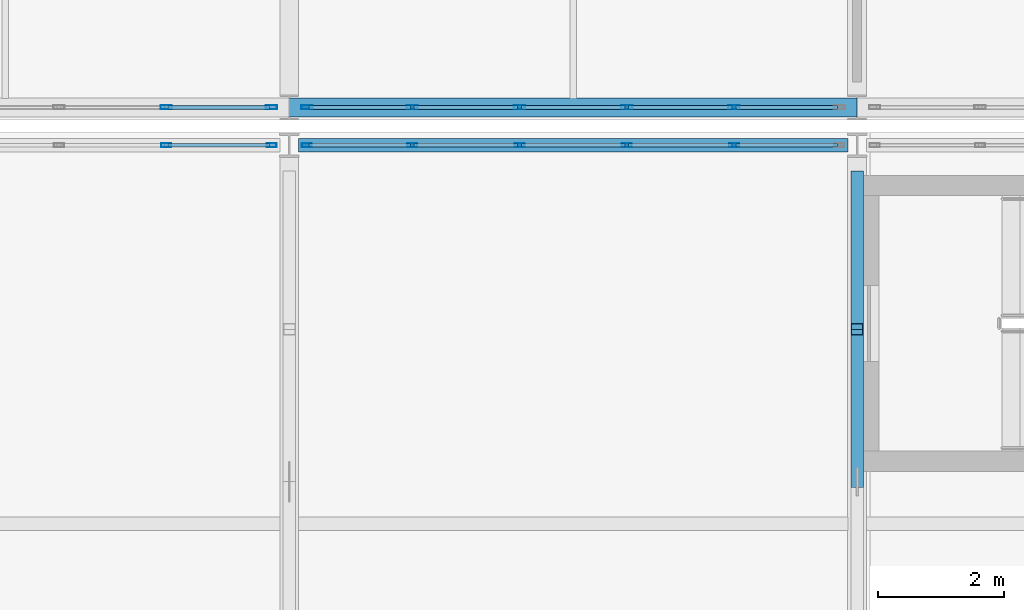
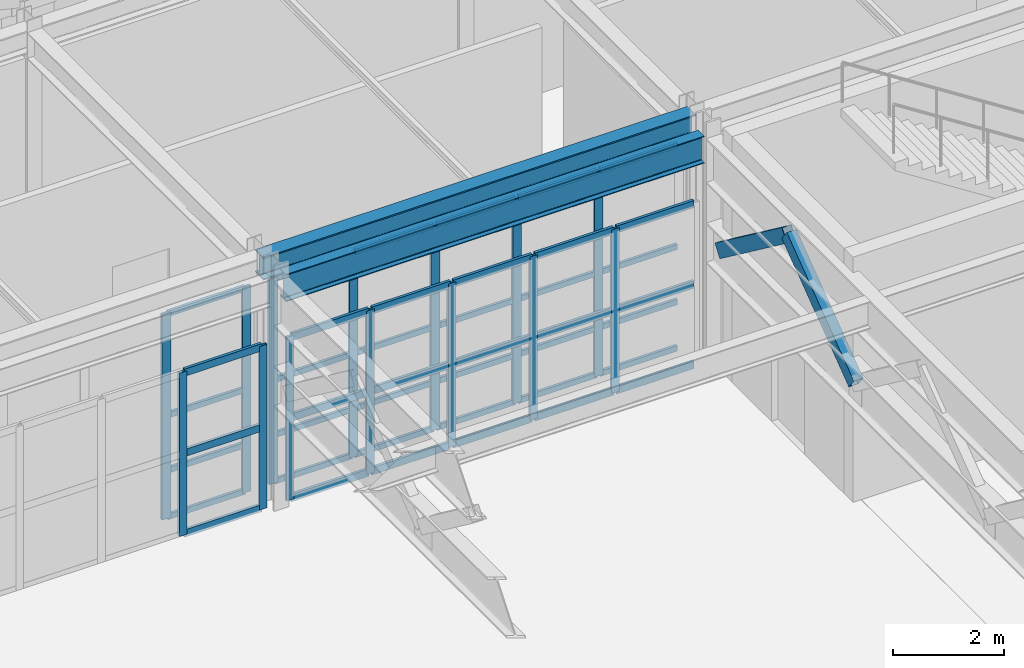
# One storey, part 34 of 210: 58 members, 2 beams, 4 elements without a shape of their own.
"""IFC4 building model written with IfcOpenShell, lengths in metres."""

from ifc_helpers import new_model, si_unit, direction, frame, origin, origin_2d, place, context, subcontext, project, spatial, hollow_rectangle, i_section, extrude, material, material_profile, profile_set, type_object, element, aggregate, save


model = new_model("IFC4")

# Units and contexts
model_context = context("Model", 3, precision=1e-05, world=origin(), true_north=direction((0.0, 1.0)))
body_context = subcontext(model_context, "Body", "Model", "MODEL_VIEW")
ifc_project = project(units=[si_unit("LENGTHUNIT", "METRE"), si_unit("AREAUNIT", "SQUARE_METRE"), si_unit("VOLUMEUNIT", "CUBIC_METRE"), si_unit("PLANEANGLEUNIT", "RADIAN"), si_unit("MASSUNIT", "GRAM", prefix="KILO")], contexts=[model_context])

# Site, building, storey
site_placement = place(None, origin())
site = spatial("IfcSite", under=ifc_project, at=site_placement, CompositionType="ELEMENT")
building_placement = place(site_placement, origin())
building = spatial("IfcBuilding", under=site, at=building_placement, Name="Kaldris Quays Convention Centre", CompositionType="ELEMENT")
storey_placement = place(building_placement, frame((0.0, 0.0, 6.0)))
storey = spatial("IfcBuildingStorey", under=building, at=storey_placement, Name="L01", CompositionType="ELEMENT", Elevation=6.0)

# Curtain wall, members
ifc_material_1 = material(Name="Anodized aluminium AW-6060 and triple glazing", Category="aluminium")
curtain_wall_type_1 = type_object("IfcCurtainWallType", Name="UNITISED CURTAIN WALL CW05", PredefinedType="NOTDEFINED", material=ifc_material_1)
curtain_wall_1_placement = place(storey_placement, origin())
curtain_wall_1 = element("IfcCurtainWall", 1, at=curtain_wall_1_placement, inside=storey, type_object=curtain_wall_type_1, Name="L01 Unitised Curtain Wall CW05 62", PredefinedType="NOTDEFINED")
ifc_material_2 = material(Name="Anodized aluminium AW-6060", Category="aluminium")
ifc_material_profile_1 = material_profile(ifc_material_2, hollow_rectangle(XDim=0.06005859375, YDim=0.159912109375, WallThickness=0.00390625, at=origin_2d()), Name="RHS 160x60x4")
ifc_profile_set_1 = profile_set([ifc_material_profile_1], Name="Anodized aluminium AW-6060")
member_type_1 = type_object("IfcMemberType", Name="CURTAIN MULLION CWM1", PredefinedType="MULLION", material=ifc_profile_set_1)
member_1_placement = place(storey_placement, frame((36.050048828125, 46.0, 0.0), z_axis=(0.0, 0.0, 1.0), x_axis=(0.0, 1.0, 0.0)))
member_1 = element("IfcMember", 2, at=member_1_placement, type_object=member_type_1, Name="CW05 mullion 5", PredefinedType="MULLION", context=body_context, shape_type="SweptSolid", body=[
    extrude(hollow_rectangle(XDim=0.06005859375, YDim=0.159912109375, WallThickness=0.00390625, at=origin_2d()), origin(), (0.0, 0.0, 1.0), 3.60009765625),
])
member_2_placement = place(storey_placement, frame((37.719970703125, 46.0, 0.0), z_axis=(0.0, 0.0, 1.0), x_axis=(0.0, 1.0, 0.0)))
member_2 = element("IfcMember", 3, at=member_2_placement, type_object=member_type_1, Name="CW05 mullion 6", PredefinedType="MULLION", context=body_context, shape_type="SweptSolid", body=[
    extrude(hollow_rectangle(XDim=0.06005859375, YDim=0.159912109375, WallThickness=0.00390625, at=origin_2d()), origin(), (0.0, 0.0, 1.0), 3.60009765625),
])

curtain_wall_2_placement = place(storey_placement, origin())
curtain_wall_2 = element("IfcCurtainWall", 4, at=curtain_wall_2_placement, inside=storey, type_object=curtain_wall_type_1, Name="L01 Unitised Curtain Wall CW05 64", PredefinedType="NOTDEFINED")
member_3_placement = place(storey_placement, frame((38.280029296875, 46.0, 0.0), z_axis=(0.0, 0.0, 1.0), x_axis=(0.0, 1.0, 0.0)))
member_3 = element("IfcMember", 5, at=member_3_placement, type_object=member_type_1, Name="CW05 mullion 1", PredefinedType="MULLION", context=body_context, shape_type="SweptSolid", body=[
    extrude(hollow_rectangle(XDim=0.06005859375, YDim=0.159912109375, WallThickness=0.00390625, at=origin_2d()), origin(), (0.0, 0.0, 1.0), 3.60009765625),
])
member_4_placement = place(storey_placement, frame((39.949951171875, 46.0, 0.0), z_axis=(0.0, 0.0, 1.0), x_axis=(0.0, 1.0, 0.0)))
member_4 = element("IfcMember", 6, at=member_4_placement, type_object=member_type_1, Name="CW05 mullion 2", PredefinedType="MULLION", context=body_context, shape_type="SweptSolid", body=[
    extrude(hollow_rectangle(XDim=0.06005859375, YDim=0.159912109375, WallThickness=0.00390625, at=origin_2d()), origin(), (0.0, 0.0, 1.0), 3.60009765625),
])
member_5_placement = place(storey_placement, frame((41.64990234375, 46.0, 0.0), z_axis=(0.0, 0.0, 1.0), x_axis=(0.0, 1.0, 0.0)))
member_5 = element("IfcMember", 7, at=member_5_placement, type_object=member_type_1, Name="CW05 mullion 3", PredefinedType="MULLION", context=body_context, shape_type="SweptSolid", body=[
    extrude(hollow_rectangle(XDim=0.06005859375, YDim=0.159912109375, WallThickness=0.00390625, at=origin_2d()), origin(), (0.0, 0.0, 1.0), 3.60009765625),
])
member_6_placement = place(storey_placement, frame((43.35009765625, 46.0, 0.0), z_axis=(0.0, 0.0, 1.0), x_axis=(0.0, 1.0, 0.0)))
member_6 = element("IfcMember", 8, at=member_6_placement, type_object=member_type_1, Name="CW05 mullion 4", PredefinedType="MULLION", context=body_context, shape_type="SweptSolid", body=[
    extrude(hollow_rectangle(XDim=0.06005859375, YDim=0.159912109375, WallThickness=0.00390625, at=origin_2d()), origin(), (0.0, 0.0, 1.0), 3.60009765625),
])
member_7_placement = place(storey_placement, frame((45.050048828125, 46.0, 0.0), z_axis=(0.0, 0.0, 1.0), x_axis=(0.0, 1.0, 0.0)))
member_7 = element("IfcMember", 9, at=member_7_placement, type_object=member_type_1, Name="CW05 mullion 5", PredefinedType="MULLION", context=body_context, shape_type="SweptSolid", body=[
    extrude(hollow_rectangle(XDim=0.06005859375, YDim=0.159912109375, WallThickness=0.00390625, at=origin_2d()), origin(), (0.0, 0.0, 1.0), 3.60009765625),
])

curtain_wall_type_2 = type_object("IfcCurtainWallType", Name="UNITISED CURTAIN WALL CW02", PredefinedType="NOTDEFINED", material=ifc_material_1)
curtain_wall_3_placement = place(storey_placement, origin())
curtain_wall_3 = element("IfcCurtainWall", 10, at=curtain_wall_3_placement, inside=storey, type_object=curtain_wall_type_2, Name="L01 Unitised Curtain Wall CW02 90", PredefinedType="NOTDEFINED")
ifc_material_profile_2 = material_profile(ifc_material_2, hollow_rectangle(XDim=0.06005859375, YDim=0.179931640625, WallThickness=0.0048828125, at=origin_2d()), Name="RHS 180x60x5")
ifc_profile_set_2 = profile_set([ifc_material_profile_2], Name="Anodized aluminium AW-6060")
member_type_2 = type_object("IfcMemberType", Name="CURTAIN MULLION CWM2", PredefinedType="MULLION", material=ifc_profile_set_2)
member_8_placement = place(storey_placement, frame((36.050048828125, 46.60009765625, 0.0), z_axis=(0.0, 0.0, 1.0), x_axis=(0.0, 1.0, 0.0)))
member_8 = element("IfcMember", 11, at=member_8_placement, type_object=member_type_2, Name="CW02 mullion 5", PredefinedType="MULLION", context=body_context, shape_type="SweptSolid", body=[
    extrude(hollow_rectangle(XDim=0.06005859375, YDim=0.179931640625, WallThickness=0.0048828125, at=origin_2d()), origin(), (0.0, 0.0, 1.0), 4.528076171875),
])
member_9_placement = place(storey_placement, frame((37.719970703125, 46.60009765625, 0.0), z_axis=(0.0, 0.0, 1.0), x_axis=(0.0, 1.0, 0.0)))
member_9 = element("IfcMember", 12, at=member_9_placement, type_object=member_type_2, Name="CW02 mullion 6", PredefinedType="MULLION", context=body_context, shape_type="SweptSolid", body=[
    extrude(hollow_rectangle(XDim=0.06005859375, YDim=0.179931640625, WallThickness=0.0048828125, at=origin_2d()), origin(), (0.0, 0.0, 1.0), 4.528076171875),
])

curtain_wall_4_placement = place(storey_placement, origin())
curtain_wall_4 = element("IfcCurtainWall", 13, at=curtain_wall_4_placement, inside=storey, type_object=curtain_wall_type_2, Name="L01 Unitised Curtain Wall CW02 91", PredefinedType="NOTDEFINED")
member_10_placement = place(storey_placement, frame((38.280029296875, 46.60009765625, 0.0), z_axis=(0.0, 0.0, 1.0), x_axis=(0.0, 1.0, 0.0)))
member_10 = element("IfcMember", 14, at=member_10_placement, type_object=member_type_2, Name="CW02 mullion 1", PredefinedType="MULLION", context=body_context, shape_type="SweptSolid", body=[
    extrude(hollow_rectangle(XDim=0.06005859375, YDim=0.179931640625, WallThickness=0.0048828125, at=origin_2d()), origin(), (0.0, 0.0, 1.0), 4.528076171875),
])
member_11_placement = place(storey_placement, frame((39.949951171875, 46.60009765625, 0.0), z_axis=(0.0, 0.0, 1.0), x_axis=(0.0, 1.0, 0.0)))
member_11 = element("IfcMember", 15, at=member_11_placement, type_object=member_type_2, Name="CW02 mullion 2", PredefinedType="MULLION", context=body_context, shape_type="SweptSolid", body=[
    extrude(hollow_rectangle(XDim=0.06005859375, YDim=0.179931640625, WallThickness=0.0048828125, at=origin_2d()), origin(), (0.0, 0.0, 1.0), 4.528076171875),
])
member_12_placement = place(storey_placement, frame((41.64990234375, 46.60009765625, 0.0), z_axis=(0.0, 0.0, 1.0), x_axis=(0.0, 1.0, 0.0)))
member_12 = element("IfcMember", 16, at=member_12_placement, type_object=member_type_2, Name="CW02 mullion 3", PredefinedType="MULLION", context=body_context, shape_type="SweptSolid", body=[
    extrude(hollow_rectangle(XDim=0.06005859375, YDim=0.179931640625, WallThickness=0.0048828125, at=origin_2d()), origin(), (0.0, 0.0, 1.0), 4.528076171875),
])
member_13_placement = place(storey_placement, frame((43.35009765625, 46.60009765625, 0.0), z_axis=(0.0, 0.0, 1.0), x_axis=(0.0, 1.0, 0.0)))
member_13 = element("IfcMember", 17, at=member_13_placement, type_object=member_type_2, Name="CW02 mullion 4", PredefinedType="MULLION", context=body_context, shape_type="SweptSolid", body=[
    extrude(hollow_rectangle(XDim=0.06005859375, YDim=0.179931640625, WallThickness=0.0048828125, at=origin_2d()), origin(), (0.0, 0.0, 1.0), 4.528076171875),
])
member_14_placement = place(storey_placement, frame((45.050048828125, 46.60009765625, 0.0), z_axis=(0.0, 0.0, 1.0), x_axis=(0.0, 1.0, 0.0)))
member_14 = element("IfcMember", 18, at=member_14_placement, type_object=member_type_2, Name="CW02 mullion 5", PredefinedType="MULLION", context=body_context, shape_type="SweptSolid", body=[
    extrude(hollow_rectangle(XDim=0.06005859375, YDim=0.179931640625, WallThickness=0.0048828125, at=origin_2d()), origin(), (0.0, 0.0, 1.0), 4.528076171875),
])

# Member
ifc_material_profile_3 = material_profile(ifc_material_2, hollow_rectangle(XDim=0.06005859375, YDim=0.1201171875, WallThickness=0.00390625, at=origin_2d()), Name="RHS 120x60x4")
ifc_profile_set_3 = profile_set([ifc_material_profile_3], Name="Anodized aluminium AW-6060")
member_type_3 = type_object("IfcMemberType", Name="CURTAIN TRANSOM CWT1", PredefinedType="USERDEFINED", material=ifc_profile_set_3)
member_15_placement = place(storey_placement, frame((36.080078125, 46.60009765625, 0.030029296875), z_axis=(1.0, 0.0, 0.0), x_axis=(0.0, 1.0, 0.0)))
member_15 = element("IfcMember", 19, at=member_15_placement, type_object=member_type_3, Name="CW02 transom 5.1", ObjectType="TRANSOM", PredefinedType="USERDEFINED", context=body_context, shape_type="SweptSolid", body=[
    extrude(hollow_rectangle(XDim=0.06005859375, YDim=0.1201171875, WallThickness=0.00390625, at=origin_2d()), origin(), (0.0, 0.0, 1.0), 1.60986328125),
])

member_16_placement = place(storey_placement, frame((36.080078125, 46.60009765625, 1.050048828125), z_axis=(1.0, 0.0, 0.0), x_axis=(0.0, 1.0, 0.0)))
member_16 = element("IfcMember", 20, at=member_16_placement, type_object=member_type_3, Name="CW02 transom 5.2", ObjectType="TRANSOM", PredefinedType="USERDEFINED", context=body_context, shape_type="SweptSolid", body=[
    extrude(hollow_rectangle(XDim=0.06005859375, YDim=0.1201171875, WallThickness=0.00390625, at=origin_2d()), origin(), (0.0, 0.0, 1.0), 1.60986328125),
])

member_17_placement = place(storey_placement, frame((36.080078125, 46.60009765625, 2.263916015625), z_axis=(1.0, 0.0, 0.0), x_axis=(0.0, 1.0, 0.0)))
member_17 = element("IfcMember", 21, at=member_17_placement, type_object=member_type_3, Name="CW02 transom 5.3", ObjectType="TRANSOM", PredefinedType="USERDEFINED", context=body_context, shape_type="SweptSolid", body=[
    extrude(hollow_rectangle(XDim=0.06005859375, YDim=0.1201171875, WallThickness=0.00390625, at=origin_2d()), origin(), (0.0, 0.0, 1.0), 1.60986328125),
])

member_18_placement = place(storey_placement, frame((36.080078125, 46.60009765625, 4.498046875), z_axis=(1.0, 0.0, 0.0), x_axis=(0.0, 1.0, 0.0)))
member_18 = element("IfcMember", 22, at=member_18_placement, type_object=member_type_3, Name="CW02 transom 5.4", ObjectType="TRANSOM", PredefinedType="USERDEFINED", context=body_context, shape_type="SweptSolid", body=[
    extrude(hollow_rectangle(XDim=0.06005859375, YDim=0.1201171875, WallThickness=0.00390625, at=origin_2d()), origin(), (0.0, 0.0, 1.0), 1.60986328125),
])

aggregate(curtain_wall_3, [member_8, member_9, member_15, member_16, member_17, member_18])

member_19_placement = place(storey_placement, frame((38.31005859375, 46.60009765625, 0.030029296875), z_axis=(1.0, 0.0, 0.0), x_axis=(0.0, 1.0, 0.0)))
member_19 = element("IfcMember", 23, at=member_19_placement, type_object=member_type_3, Name="CW02 transom 1.1", ObjectType="TRANSOM", PredefinedType="USERDEFINED", context=body_context, shape_type="SweptSolid", body=[
    extrude(hollow_rectangle(XDim=0.06005859375, YDim=0.1201171875, WallThickness=0.00390625, at=origin_2d()), origin(), (0.0, 0.0, 1.0), 1.60986328125),
])

member_20_placement = place(storey_placement, frame((38.31005859375, 46.60009765625, 1.050048828125), z_axis=(1.0, 0.0, 0.0), x_axis=(0.0, 1.0, 0.0)))
member_20 = element("IfcMember", 24, at=member_20_placement, type_object=member_type_3, Name="CW02 transom 1.2", ObjectType="TRANSOM", PredefinedType="USERDEFINED", context=body_context, shape_type="SweptSolid", body=[
    extrude(hollow_rectangle(XDim=0.06005859375, YDim=0.1201171875, WallThickness=0.00390625, at=origin_2d()), origin(), (0.0, 0.0, 1.0), 1.60986328125),
])

member_21_placement = place(storey_placement, frame((38.31005859375, 46.60009765625, 2.263916015625), z_axis=(1.0, 0.0, 0.0), x_axis=(0.0, 1.0, 0.0)))
member_21 = element("IfcMember", 25, at=member_21_placement, type_object=member_type_3, Name="CW02 transom 1.3", ObjectType="TRANSOM", PredefinedType="USERDEFINED", context=body_context, shape_type="SweptSolid", body=[
    extrude(hollow_rectangle(XDim=0.06005859375, YDim=0.1201171875, WallThickness=0.00390625, at=origin_2d()), origin(), (0.0, 0.0, 1.0), 1.60986328125),
])

member_22_placement = place(storey_placement, frame((38.31005859375, 46.60009765625, 4.498046875), z_axis=(1.0, 0.0, 0.0), x_axis=(0.0, 1.0, 0.0)))
member_22 = element("IfcMember", 26, at=member_22_placement, type_object=member_type_3, Name="CW02 transom 1.4", ObjectType="TRANSOM", PredefinedType="USERDEFINED", context=body_context, shape_type="SweptSolid", body=[
    extrude(hollow_rectangle(XDim=0.06005859375, YDim=0.1201171875, WallThickness=0.00390625, at=origin_2d()), origin(), (0.0, 0.0, 1.0), 1.60986328125),
])

member_23_placement = place(storey_placement, frame((39.97998046875, 46.60009765625, 0.030029296875), z_axis=(1.0, 0.0, 0.0), x_axis=(0.0, 1.0, 0.0)))
member_23 = element("IfcMember", 27, at=member_23_placement, type_object=member_type_3, Name="CW02 transom 2.1", ObjectType="TRANSOM", PredefinedType="USERDEFINED", context=body_context, shape_type="SweptSolid", body=[
    extrude(hollow_rectangle(XDim=0.06005859375, YDim=0.1201171875, WallThickness=0.00390625, at=origin_2d()), origin(), (0.0, 0.0, 1.0), 1.64013671875),
])

member_24_placement = place(storey_placement, frame((39.97998046875, 46.60009765625, 1.050048828125), z_axis=(1.0, 0.0, 0.0), x_axis=(0.0, 1.0, 0.0)))
member_24 = element("IfcMember", 28, at=member_24_placement, type_object=member_type_3, Name="CW02 transom 2.2", ObjectType="TRANSOM", PredefinedType="USERDEFINED", context=body_context, shape_type="SweptSolid", body=[
    extrude(hollow_rectangle(XDim=0.06005859375, YDim=0.1201171875, WallThickness=0.00390625, at=origin_2d()), origin(), (0.0, 0.0, 1.0), 1.64013671875),
])

member_25_placement = place(storey_placement, frame((39.97998046875, 46.60009765625, 2.263916015625), z_axis=(1.0, 0.0, 0.0), x_axis=(0.0, 1.0, 0.0)))
member_25 = element("IfcMember", 29, at=member_25_placement, type_object=member_type_3, Name="CW02 transom 2.3", ObjectType="TRANSOM", PredefinedType="USERDEFINED", context=body_context, shape_type="SweptSolid", body=[
    extrude(hollow_rectangle(XDim=0.06005859375, YDim=0.1201171875, WallThickness=0.00390625, at=origin_2d()), origin(), (0.0, 0.0, 1.0), 1.64013671875),
])

member_26_placement = place(storey_placement, frame((39.97998046875, 46.60009765625, 4.498046875), z_axis=(1.0, 0.0, 0.0), x_axis=(0.0, 1.0, 0.0)))
member_26 = element("IfcMember", 30, at=member_26_placement, type_object=member_type_3, Name="CW02 transom 2.4", ObjectType="TRANSOM", PredefinedType="USERDEFINED", context=body_context, shape_type="SweptSolid", body=[
    extrude(hollow_rectangle(XDim=0.06005859375, YDim=0.1201171875, WallThickness=0.00390625, at=origin_2d()), origin(), (0.0, 0.0, 1.0), 1.64013671875),
])

member_27_placement = place(storey_placement, frame((41.679931640625, 46.60009765625, 0.030029296875), z_axis=(1.0, 0.0, 0.0), x_axis=(0.0, 1.0, 0.0)))
member_27 = element("IfcMember", 31, at=member_27_placement, type_object=member_type_3, Name="CW02 transom 3.1", ObjectType="TRANSOM", PredefinedType="USERDEFINED", context=body_context, shape_type="SweptSolid", body=[
    extrude(hollow_rectangle(XDim=0.06005859375, YDim=0.1201171875, WallThickness=0.00390625, at=origin_2d()), origin(), (0.0, 0.0, 1.0), 1.64013671875),
])

member_28_placement = place(storey_placement, frame((41.679931640625, 46.60009765625, 1.050048828125), z_axis=(1.0, 0.0, 0.0), x_axis=(0.0, 1.0, 0.0)))
member_28 = element("IfcMember", 32, at=member_28_placement, type_object=member_type_3, Name="CW02 transom 3.2", ObjectType="TRANSOM", PredefinedType="USERDEFINED", context=body_context, shape_type="SweptSolid", body=[
    extrude(hollow_rectangle(XDim=0.06005859375, YDim=0.1201171875, WallThickness=0.00390625, at=origin_2d()), origin(), (0.0, 0.0, 1.0), 1.64013671875),
])

member_29_placement = place(storey_placement, frame((41.679931640625, 46.60009765625, 2.263916015625), z_axis=(1.0, 0.0, 0.0), x_axis=(0.0, 1.0, 0.0)))
member_29 = element("IfcMember", 33, at=member_29_placement, type_object=member_type_3, Name="CW02 transom 3.3", ObjectType="TRANSOM", PredefinedType="USERDEFINED", context=body_context, shape_type="SweptSolid", body=[
    extrude(hollow_rectangle(XDim=0.06005859375, YDim=0.1201171875, WallThickness=0.00390625, at=origin_2d()), origin(), (0.0, 0.0, 1.0), 1.64013671875),
])

member_30_placement = place(storey_placement, frame((41.679931640625, 46.60009765625, 4.498046875), z_axis=(1.0, 0.0, 0.0), x_axis=(0.0, 1.0, 0.0)))
member_30 = element("IfcMember", 34, at=member_30_placement, type_object=member_type_3, Name="CW02 transom 3.4", ObjectType="TRANSOM", PredefinedType="USERDEFINED", context=body_context, shape_type="SweptSolid", body=[
    extrude(hollow_rectangle(XDim=0.06005859375, YDim=0.1201171875, WallThickness=0.00390625, at=origin_2d()), origin(), (0.0, 0.0, 1.0), 1.64013671875),
])

member_31_placement = place(storey_placement, frame((43.3798828125, 46.60009765625, 0.030029296875), z_axis=(1.0, 0.0, 0.0), x_axis=(0.0, 1.0, 0.0)))
member_31 = element("IfcMember", 35, at=member_31_placement, type_object=member_type_3, Name="CW02 transom 4.1", ObjectType="TRANSOM", PredefinedType="USERDEFINED", context=body_context, shape_type="SweptSolid", body=[
    extrude(hollow_rectangle(XDim=0.06005859375, YDim=0.1201171875, WallThickness=0.00390625, at=origin_2d()), origin(), (0.0, 0.0, 1.0), 1.64013671875),
])

member_32_placement = place(storey_placement, frame((43.3798828125, 46.60009765625, 1.050048828125), z_axis=(1.0, 0.0, 0.0), x_axis=(0.0, 1.0, 0.0)))
member_32 = element("IfcMember", 36, at=member_32_placement, type_object=member_type_3, Name="CW02 transom 4.2", ObjectType="TRANSOM", PredefinedType="USERDEFINED", context=body_context, shape_type="SweptSolid", body=[
    extrude(hollow_rectangle(XDim=0.06005859375, YDim=0.1201171875, WallThickness=0.00390625, at=origin_2d()), origin(), (0.0, 0.0, 1.0), 1.64013671875),
])

member_33_placement = place(storey_placement, frame((43.3798828125, 46.60009765625, 2.263916015625), z_axis=(1.0, 0.0, 0.0), x_axis=(0.0, 1.0, 0.0)))
member_33 = element("IfcMember", 37, at=member_33_placement, type_object=member_type_3, Name="CW02 transom 4.3", ObjectType="TRANSOM", PredefinedType="USERDEFINED", context=body_context, shape_type="SweptSolid", body=[
    extrude(hollow_rectangle(XDim=0.06005859375, YDim=0.1201171875, WallThickness=0.00390625, at=origin_2d()), origin(), (0.0, 0.0, 1.0), 1.64013671875),
])

member_34_placement = place(storey_placement, frame((43.3798828125, 46.60009765625, 4.498046875), z_axis=(1.0, 0.0, 0.0), x_axis=(0.0, 1.0, 0.0)))
member_34 = element("IfcMember", 38, at=member_34_placement, type_object=member_type_3, Name="CW02 transom 4.4", ObjectType="TRANSOM", PredefinedType="USERDEFINED", context=body_context, shape_type="SweptSolid", body=[
    extrude(hollow_rectangle(XDim=0.06005859375, YDim=0.1201171875, WallThickness=0.00390625, at=origin_2d()), origin(), (0.0, 0.0, 1.0), 1.64013671875),
])

member_35_placement = place(storey_placement, frame((45.080078125, 46.60009765625, 0.030029296875), z_axis=(1.0, 0.0, 0.0), x_axis=(0.0, 1.0, 0.0)))
member_35 = element("IfcMember", 39, at=member_35_placement, type_object=member_type_3, Name="CW02 transom 5.1", ObjectType="TRANSOM", PredefinedType="USERDEFINED", context=body_context, shape_type="SweptSolid", body=[
    extrude(hollow_rectangle(XDim=0.06005859375, YDim=0.1201171875, WallThickness=0.00390625, at=origin_2d()), origin(), (0.0, 0.0, 1.0), 1.60986328125),
])

member_36_placement = place(storey_placement, frame((45.080078125, 46.60009765625, 1.050048828125), z_axis=(1.0, 0.0, 0.0), x_axis=(0.0, 1.0, 0.0)))
member_36 = element("IfcMember", 40, at=member_36_placement, type_object=member_type_3, Name="CW02 transom 5.2", ObjectType="TRANSOM", PredefinedType="USERDEFINED", context=body_context, shape_type="SweptSolid", body=[
    extrude(hollow_rectangle(XDim=0.06005859375, YDim=0.1201171875, WallThickness=0.00390625, at=origin_2d()), origin(), (0.0, 0.0, 1.0), 1.60986328125),
])

member_37_placement = place(storey_placement, frame((45.080078125, 46.60009765625, 2.263916015625), z_axis=(1.0, 0.0, 0.0), x_axis=(0.0, 1.0, 0.0)))
member_37 = element("IfcMember", 41, at=member_37_placement, type_object=member_type_3, Name="CW02 transom 5.3", ObjectType="TRANSOM", PredefinedType="USERDEFINED", context=body_context, shape_type="SweptSolid", body=[
    extrude(hollow_rectangle(XDim=0.06005859375, YDim=0.1201171875, WallThickness=0.00390625, at=origin_2d()), origin(), (0.0, 0.0, 1.0), 1.60986328125),
])

member_38_placement = place(storey_placement, frame((45.080078125, 46.60009765625, 4.498046875), z_axis=(1.0, 0.0, 0.0), x_axis=(0.0, 1.0, 0.0)))
member_38 = element("IfcMember", 42, at=member_38_placement, type_object=member_type_3, Name="CW02 transom 5.4", ObjectType="TRANSOM", PredefinedType="USERDEFINED", context=body_context, shape_type="SweptSolid", body=[
    extrude(hollow_rectangle(XDim=0.06005859375, YDim=0.1201171875, WallThickness=0.00390625, at=origin_2d()), origin(), (0.0, 0.0, 1.0), 1.60986328125),
])

aggregate(curtain_wall_4, [member_10, member_11, member_12, member_13, member_14, member_19, member_20, member_21, member_22, member_23, member_24, member_25, member_26, member_27, member_28, member_29, member_30, member_31, member_32, member_33, member_34, member_35, member_36, member_37, member_38])

ifc_material_profile_4 = material_profile(ifc_material_2, hollow_rectangle(XDim=0.06005859375, YDim=0.159912109375, WallThickness=0.00390625, at=origin_2d()), Name="RHS 160x60x4")
ifc_profile_set_4 = profile_set([ifc_material_profile_4], Name="Anodized aluminium AW-6060")
member_type_4 = type_object("IfcMemberType", Name="CURTAIN TRANSOM CWT2", PredefinedType="USERDEFINED", material=ifc_profile_set_4)
member_39_placement = place(storey_placement, frame((36.080078125, 46.0, 0.030029296875), z_axis=(1.0, 0.0, 0.0), x_axis=(0.0, 1.0, 0.0)))
member_39 = element("IfcMember", 43, at=member_39_placement, type_object=member_type_4, Name="CW05 transom 5.1", ObjectType="TRANSOM", PredefinedType="USERDEFINED", context=body_context, shape_type="SweptSolid", body=[
    extrude(hollow_rectangle(XDim=0.06005859375, YDim=0.159912109375, WallThickness=0.00390625, at=origin_2d()), origin(), (0.0, 0.0, 1.0), 1.60986328125),
])

member_40_placement = place(storey_placement, frame((36.080078125, 46.0, 1.800048828125), z_axis=(1.0, 0.0, 0.0), x_axis=(0.0, 1.0, 0.0)))
member_40 = element("IfcMember", 44, at=member_40_placement, type_object=member_type_4, Name="CW05 transom 5.2", ObjectType="TRANSOM", PredefinedType="USERDEFINED", context=body_context, shape_type="SweptSolid", body=[
    extrude(hollow_rectangle(XDim=0.06005859375, YDim=0.159912109375, WallThickness=0.00390625, at=origin_2d()), origin(), (0.0, 0.0, 1.0), 1.60986328125),
])

member_41_placement = place(storey_placement, frame((36.080078125, 46.0, 3.570068359375), z_axis=(1.0, 0.0, 0.0), x_axis=(0.0, 1.0, 0.0)))
member_41 = element("IfcMember", 45, at=member_41_placement, type_object=member_type_4, Name="CW05 transom 5.3", ObjectType="TRANSOM", PredefinedType="USERDEFINED", context=body_context, shape_type="SweptSolid", body=[
    extrude(hollow_rectangle(XDim=0.06005859375, YDim=0.159912109375, WallThickness=0.00390625, at=origin_2d()), origin(), (0.0, 0.0, 1.0), 1.60986328125),
])

aggregate(curtain_wall_1, [member_1, member_2, member_39, member_40, member_41])

member_42_placement = place(storey_placement, frame((38.31005859375, 46.0, 0.030029296875), z_axis=(1.0, 0.0, 0.0), x_axis=(0.0, 1.0, 0.0)))
member_42 = element("IfcMember", 46, at=member_42_placement, type_object=member_type_4, Name="CW05 transom 1.1", ObjectType="TRANSOM", PredefinedType="USERDEFINED", context=body_context, shape_type="SweptSolid", body=[
    extrude(hollow_rectangle(XDim=0.06005859375, YDim=0.159912109375, WallThickness=0.00390625, at=origin_2d()), origin(), (0.0, 0.0, 1.0), 1.60986328125),
])

member_43_placement = place(storey_placement, frame((38.31005859375, 46.0, 1.800048828125), z_axis=(1.0, 0.0, 0.0), x_axis=(0.0, 1.0, 0.0)))
member_43 = element("IfcMember", 47, at=member_43_placement, type_object=member_type_4, Name="CW05 transom 1.2", ObjectType="TRANSOM", PredefinedType="USERDEFINED", context=body_context, shape_type="SweptSolid", body=[
    extrude(hollow_rectangle(XDim=0.06005859375, YDim=0.159912109375, WallThickness=0.00390625, at=origin_2d()), origin(), (0.0, 0.0, 1.0), 1.60986328125),
])

member_44_placement = place(storey_placement, frame((38.31005859375, 46.0, 3.570068359375), z_axis=(1.0, 0.0, 0.0), x_axis=(0.0, 1.0, 0.0)))
member_44 = element("IfcMember", 48, at=member_44_placement, type_object=member_type_4, Name="CW05 transom 1.3", ObjectType="TRANSOM", PredefinedType="USERDEFINED", context=body_context, shape_type="SweptSolid", body=[
    extrude(hollow_rectangle(XDim=0.06005859375, YDim=0.159912109375, WallThickness=0.00390625, at=origin_2d()), origin(), (0.0, 0.0, 1.0), 1.60986328125),
])

member_45_placement = place(storey_placement, frame((39.97998046875, 46.0, 0.030029296875), z_axis=(1.0, 0.0, 0.0), x_axis=(0.0, 1.0, 0.0)))
member_45 = element("IfcMember", 49, at=member_45_placement, type_object=member_type_4, Name="CW05 transom 2.1", ObjectType="TRANSOM", PredefinedType="USERDEFINED", context=body_context, shape_type="SweptSolid", body=[
    extrude(hollow_rectangle(XDim=0.06005859375, YDim=0.159912109375, WallThickness=0.00390625, at=origin_2d()), origin(), (0.0, 0.0, 1.0), 1.64013671875),
])

member_46_placement = place(storey_placement, frame((39.97998046875, 46.0, 1.800048828125), z_axis=(1.0, 0.0, 0.0), x_axis=(0.0, 1.0, 0.0)))
member_46 = element("IfcMember", 50, at=member_46_placement, type_object=member_type_4, Name="CW05 transom 2.2", ObjectType="TRANSOM", PredefinedType="USERDEFINED", context=body_context, shape_type="SweptSolid", body=[
    extrude(hollow_rectangle(XDim=0.06005859375, YDim=0.159912109375, WallThickness=0.00390625, at=origin_2d()), origin(), (0.0, 0.0, 1.0), 1.64013671875),
])

member_47_placement = place(storey_placement, frame((39.97998046875, 46.0, 3.570068359375), z_axis=(1.0, 0.0, 0.0), x_axis=(0.0, 1.0, 0.0)))
member_47 = element("IfcMember", 51, at=member_47_placement, type_object=member_type_4, Name="CW05 transom 2.3", ObjectType="TRANSOM", PredefinedType="USERDEFINED", context=body_context, shape_type="SweptSolid", body=[
    extrude(hollow_rectangle(XDim=0.06005859375, YDim=0.159912109375, WallThickness=0.00390625, at=origin_2d()), origin(), (0.0, 0.0, 1.0), 1.64013671875),
])

member_48_placement = place(storey_placement, frame((41.679931640625, 46.0, 0.030029296875), z_axis=(1.0, 0.0, 0.0), x_axis=(0.0, 1.0, 0.0)))
member_48 = element("IfcMember", 52, at=member_48_placement, type_object=member_type_4, Name="CW05 transom 3.1", ObjectType="TRANSOM", PredefinedType="USERDEFINED", context=body_context, shape_type="SweptSolid", body=[
    extrude(hollow_rectangle(XDim=0.06005859375, YDim=0.159912109375, WallThickness=0.00390625, at=origin_2d()), origin(), (0.0, 0.0, 1.0), 1.64013671875),
])

member_49_placement = place(storey_placement, frame((41.679931640625, 46.0, 1.800048828125), z_axis=(1.0, 0.0, 0.0), x_axis=(0.0, 1.0, 0.0)))
member_49 = element("IfcMember", 53, at=member_49_placement, type_object=member_type_4, Name="CW05 transom 3.2", ObjectType="TRANSOM", PredefinedType="USERDEFINED", context=body_context, shape_type="SweptSolid", body=[
    extrude(hollow_rectangle(XDim=0.06005859375, YDim=0.159912109375, WallThickness=0.00390625, at=origin_2d()), origin(), (0.0, 0.0, 1.0), 1.64013671875),
])

member_50_placement = place(storey_placement, frame((41.679931640625, 46.0, 3.570068359375), z_axis=(1.0, 0.0, 0.0), x_axis=(0.0, 1.0, 0.0)))
member_50 = element("IfcMember", 54, at=member_50_placement, type_object=member_type_4, Name="CW05 transom 3.3", ObjectType="TRANSOM", PredefinedType="USERDEFINED", context=body_context, shape_type="SweptSolid", body=[
    extrude(hollow_rectangle(XDim=0.06005859375, YDim=0.159912109375, WallThickness=0.00390625, at=origin_2d()), origin(), (0.0, 0.0, 1.0), 1.64013671875),
])

member_51_placement = place(storey_placement, frame((43.3798828125, 46.0, 0.030029296875), z_axis=(1.0, 0.0, 0.0), x_axis=(0.0, 1.0, 0.0)))
member_51 = element("IfcMember", 55, at=member_51_placement, type_object=member_type_4, Name="CW05 transom 4.1", ObjectType="TRANSOM", PredefinedType="USERDEFINED", context=body_context, shape_type="SweptSolid", body=[
    extrude(hollow_rectangle(XDim=0.06005859375, YDim=0.159912109375, WallThickness=0.00390625, at=origin_2d()), origin(), (0.0, 0.0, 1.0), 1.64013671875),
])

member_52_placement = place(storey_placement, frame((43.3798828125, 46.0, 1.800048828125), z_axis=(1.0, 0.0, 0.0), x_axis=(0.0, 1.0, 0.0)))
member_52 = element("IfcMember", 56, at=member_52_placement, type_object=member_type_4, Name="CW05 transom 4.2", ObjectType="TRANSOM", PredefinedType="USERDEFINED", context=body_context, shape_type="SweptSolid", body=[
    extrude(hollow_rectangle(XDim=0.06005859375, YDim=0.159912109375, WallThickness=0.00390625, at=origin_2d()), origin(), (0.0, 0.0, 1.0), 1.64013671875),
])

member_53_placement = place(storey_placement, frame((43.3798828125, 46.0, 3.570068359375), z_axis=(1.0, 0.0, 0.0), x_axis=(0.0, 1.0, 0.0)))
member_53 = element("IfcMember", 57, at=member_53_placement, type_object=member_type_4, Name="CW05 transom 4.3", ObjectType="TRANSOM", PredefinedType="USERDEFINED", context=body_context, shape_type="SweptSolid", body=[
    extrude(hollow_rectangle(XDim=0.06005859375, YDim=0.159912109375, WallThickness=0.00390625, at=origin_2d()), origin(), (0.0, 0.0, 1.0), 1.64013671875),
])

member_54_placement = place(storey_placement, frame((45.080078125, 46.0, 0.030029296875), z_axis=(1.0, 0.0, 0.0), x_axis=(0.0, 1.0, 0.0)))
member_54 = element("IfcMember", 58, at=member_54_placement, type_object=member_type_4, Name="CW05 transom 5.1", ObjectType="TRANSOM", PredefinedType="USERDEFINED", context=body_context, shape_type="SweptSolid", body=[
    extrude(hollow_rectangle(XDim=0.06005859375, YDim=0.159912109375, WallThickness=0.00390625, at=origin_2d()), origin(), (0.0, 0.0, 1.0), 1.60986328125),
])

member_55_placement = place(storey_placement, frame((45.080078125, 46.0, 1.800048828125), z_axis=(1.0, 0.0, 0.0), x_axis=(0.0, 1.0, 0.0)))
member_55 = element("IfcMember", 59, at=member_55_placement, type_object=member_type_4, Name="CW05 transom 5.2", ObjectType="TRANSOM", PredefinedType="USERDEFINED", context=body_context, shape_type="SweptSolid", body=[
    extrude(hollow_rectangle(XDim=0.06005859375, YDim=0.159912109375, WallThickness=0.00390625, at=origin_2d()), origin(), (0.0, 0.0, 1.0), 1.60986328125),
])

member_56_placement = place(storey_placement, frame((45.080078125, 46.0, 3.570068359375), z_axis=(1.0, 0.0, 0.0), x_axis=(0.0, 1.0, 0.0)))
member_56 = element("IfcMember", 60, at=member_56_placement, type_object=member_type_4, Name="CW05 transom 5.3", ObjectType="TRANSOM", PredefinedType="USERDEFINED", context=body_context, shape_type="SweptSolid", body=[
    extrude(hollow_rectangle(XDim=0.06005859375, YDim=0.159912109375, WallThickness=0.00390625, at=origin_2d()), origin(), (0.0, 0.0, 1.0), 1.60986328125),
])

aggregate(curtain_wall_2, [member_3, member_4, member_5, member_6, member_7, member_42, member_43, member_44, member_45, member_46, member_47, member_48, member_49, member_50, member_51, member_52, member_53, member_54, member_55, member_56])

# Beams
ifc_material_3 = material(Name="Steel S355J2", Category="steel")
ifc_material_profile_5 = material_profile(ifc_material_3, i_section(OverallWidth=0.300048828125, OverallDepth=0.5, WebThickness=0.014404296875, FlangeThickness=0.028076171875, FilletRadius=0.027099609375, at=origin_2d()), Name="HEB 500")
ifc_profile_set_5 = profile_set([ifc_material_profile_5], Name="Steel S355J2")
beam_type_1 = type_object("IfcBeamType", Name="STRUCTURAL BEAM BM06", PredefinedType="BEAM", material=ifc_profile_set_5)
beam_1_placement = place(storey_placement, frame((37.99951171875, 46.60009765625, 4.89306640625), z_axis=(1.0, 0.0, 0.0), x_axis=(0.0, 1.0, 0.0)))
element("IfcBeam", 61, at=beam_1_placement, inside=storey, type_object=beam_type_1, Name="L01 Girder BM06 2", PredefinedType="BEAM", context=body_context, shape_type="SweptSolid", body=[
    extrude(i_section(OverallWidth=0.300048828125, OverallDepth=0.5, WebThickness=0.014404296875, FlangeThickness=0.028076171875, FilletRadius=0.027099609375, at=origin_2d()), origin(), (0.0, 0.0, 1.0), 9.0009765625),
])
ifc_material_profile_6 = material_profile(ifc_material_3, i_section(OverallWidth=0.219970703125, OverallDepth=0.60009765625, WebThickness=0.011962890625, FlangeThickness=0.01904296875, FilletRadius=0.02392578125, at=origin_2d()), Name="IPE 600")
ifc_profile_set_6 = profile_set([ifc_material_profile_6], Name="Steel S355J2")
beam_type_2 = type_object("IfcBeamType", Name="STRUCTURAL BEAM BM10", PredefinedType="BEAM", material=ifc_profile_set_6)
beam_2_placement = place(storey_placement, frame((38.14501953125, 46.0, 4.758056640625), z_axis=(1.0, 0.0, 0.0), x_axis=(0.0, 1.0, 0.0)))
element("IfcBeam", 62, at=beam_2_placement, inside=storey, type_object=beam_type_2, Name="L01 Ballroom Tie Beam BM10", PredefinedType="BEAM", context=body_context, shape_type="SweptSolid", body=[
    extrude(i_section(OverallWidth=0.219970703125, OverallDepth=0.60009765625, WebThickness=0.011962890625, FlangeThickness=0.01904296875, FilletRadius=0.02392578125, at=origin_2d()), origin(), (0.0, 0.0, 1.0), 8.7099609375),
])

# Members
ifc_material_4 = material(Name="Steel S355J2H", Category="steel")
ifc_material_profile_7 = material_profile(ifc_material_4, hollow_rectangle(XDim=0.199951171875, YDim=0.300048828125, WallThickness=0.012451171875, at=origin_2d()), Name="RHS 300x200x12.5")
ifc_profile_set_7 = profile_set([ifc_material_profile_7], Name="Steel S355J2H")
member_type_5 = type_object("IfcMemberType", Name="STRUCTURAL MEMBER TTD1", PredefinedType="BRACE", material=ifc_profile_set_7)
member_57_placement = place(storey_placement, frame((47.0, 40.666748046875, 2.75), z_axis=(0.0, 0.800678988238, 0.599093613548), x_axis=(-1.0, 0.0, 0.0)))
element("IfcMember", 63, at=member_57_placement, inside=storey, type_object=member_type_5, Name="Transfer Truss TT04 Diagonal 11", PredefinedType="BRACE", context=body_context, shape_type="SweptSolid", body=[
    extrude(hollow_rectangle(XDim=0.199951171875, YDim=0.300048828125, WallThickness=0.012451171875, at=origin_2d()), origin(), (0.0, 0.0, 1.0), 3.01806640625),
])
member_58_placement = place(storey_placement, frame((47.0, 45.5, 2.75), z_axis=(0.0, -0.800708018983, 0.599054812464), x_axis=(1.0, 0.0, 0.0)))
element("IfcMember", 64, at=member_58_placement, inside=storey, type_object=member_type_5, Name="Transfer Truss TT04 Diagonal 12", PredefinedType="BRACE", context=body_context, shape_type="SweptSolid", body=[
    extrude(hollow_rectangle(XDim=0.199951171875, YDim=0.300048828125, WallThickness=0.012451171875, at=origin_2d()), origin(), (0.0, 0.0, 1.0), 3.018310546875),
])

save(model, "model.ifc")
